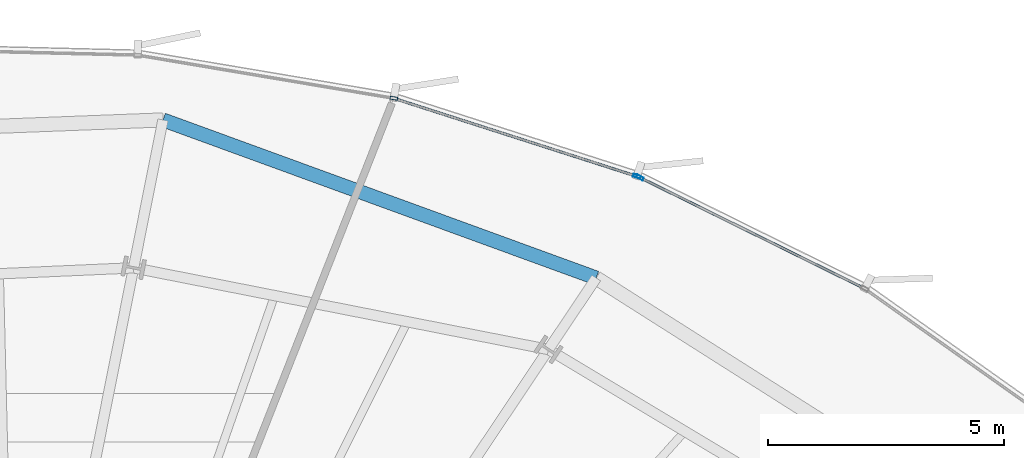
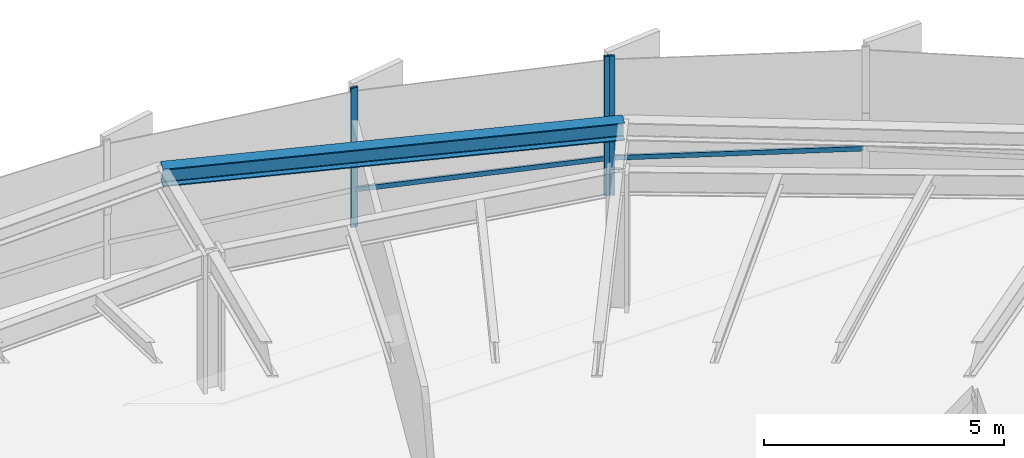
# One storey, part 27 of 39: 5 members, 1 beam, 2 elements without a shape of their own.
"""IFC4 building model written with IfcOpenShell, lengths in metres."""

from ifc_helpers import new_model, si_unit, direction, frame, origin, origin_2d, place, context, subcontext, project, spatial, hollow_rectangle, i_section, extrude, source, transform, mapped, material, layer, layer_set, material_profile, profile_set, type_object, element, aggregate, save


model = new_model("IFC4")

# Units and contexts
model_context = context("Model", 3, precision=1e-05, world=origin(), true_north=direction((0.0, 1.0)))
body_context = subcontext(model_context, "Body", "Model", "MODEL_VIEW")
ifc_project = project(units=[si_unit("LENGTHUNIT", "METRE"), si_unit("AREAUNIT", "SQUARE_METRE"), si_unit("VOLUMEUNIT", "CUBIC_METRE"), si_unit("PLANEANGLEUNIT", "RADIAN"), si_unit("MASSUNIT", "GRAM", prefix="KILO"), si_unit("THERMODYNAMICTEMPERATUREUNIT", "KELVIN")], contexts=[model_context])

# Site, building, storey
site_placement = place(None, origin())
site = spatial("IfcSite", under=ifc_project, at=site_placement, CompositionType="ELEMENT")
building_placement = place(site_placement, origin())
building = spatial("IfcBuilding", under=site, at=building_placement, Name="Kethvar Cultural Tower", CompositionType="ELEMENT")
storey_placement = place(building_placement, frame((0.0, 0.0, 41.0)))
storey = spatial("IfcBuildingStorey", under=building, at=storey_placement, Name="L09", CompositionType="ELEMENT", Elevation=41.0)

# Beam
ifc_material_1 = material(Name="Steel S355J2", Category="steel")
ifc_material_profile_1 = material_profile(ifc_material_1, i_section(OverallWidth=0.300048828125, OverallDepth=0.449951171875, WebThickness=0.013916015625, FlangeThickness=0.02587890625, FilletRadius=0.027099609375, at=origin_2d()), Name="Steel S355J2 — HEB450")
ifc_profile_set_1 = profile_set([ifc_material_profile_1], Name="Steel S355J2 — HEB450")
beam_type = type_object("IfcBeamType", Name="BM-SP450", PredefinedType="SPANDREL", material=ifc_profile_set_1)
shared_shape_1 = source(origin(), body_context, "Body", "SweptSolid", [
    extrude(i_section(OverallWidth=0.300048828125, OverallDepth=0.449951171875, WebThickness=0.013916015625, FlangeThickness=0.02587890625, FilletRadius=0.027099609375, at=origin_2d()), origin(), (0.0, 0.0, 1.0), 9.784912109375),
])
beam_placement = place(storey_placement, frame((60.838623046875, 48.810302734375, 3.322998046875), z_axis=(-0.939418416899, 0.342772574735, 0.0), x_axis=(-0.342772574735, -0.939418416899, 0.0)))
element("IfcBeam", 1, at=beam_placement, inside=storey, type_object=beam_type, Name="L09 Perimeter Spandrel Beam SP-03", PredefinedType="SPANDREL", context=body_context, shape_type="MappedRepresentation", body=[
    mapped(shared_shape_1, transform((0.0, 0.0, 0.0), scale=1.0)),
])

# Curtain wall, member
ifc_material_2 = material(Name="Aluminium 6063-T6", Category="aluminium")
ifc_layer = layer(ifc_material_2, 0.179931640625, Name="Aluminium 6063-T6", Category="aluminium")
ifc_layer_set = layer_set([ifc_layer], Name="Aluminium 6063-T6 (180 mm)")
curtain_wall_type = type_object("IfcCurtainWallType", Name="CW-SYS-02-Z1", PredefinedType="NOTDEFINED", material=ifc_layer_set)
curtain_wall_1_placement = place(storey_placement, origin())
curtain_wall_1 = element("IfcCurtainWall", 2, at=curtain_wall_1_placement, inside=storey, type_object=curtain_wall_type, Name="L09 Curtain Wall Run 01", PredefinedType="NOTDEFINED")
ifc_material_profile_2 = material_profile(ifc_material_2, hollow_rectangle(XDim=0.06494140625, YDim=0.159912109375, WallThickness=0.0048828125, at=origin_2d()), Name="Aluminium 6063-T6 — RHS160x65x5")
ifc_profile_set_2 = profile_set([ifc_material_profile_2], Name="Aluminium 6063-T6 — RHS160x65x5")
member_type_1 = type_object("IfcMemberType", Name="CW-SYS-02-Z1-MUL", PredefinedType="MULLION", material=ifc_profile_set_2)
shared_shape_2 = source(origin(), body_context, "Body", "SweptSolid", [
    extrude(hollow_rectangle(XDim=0.06494140625, YDim=0.159912109375, WallThickness=0.0048828125, at=origin_2d()), origin(), (0.0, 0.0, 1.0), 3.550048828125),
])
member_1_placement = place(storey_placement, frame((61.76318359375, 50.9423828125, 0.0), z_axis=(0.0, 0.0, 1.0), x_axis=(-0.442977308555, -0.896532823774, 0.0)))
member_1 = element("IfcMember", 3, at=member_1_placement, type_object=member_type_1, Name="CW-L09-R01 Mullion 7", PredefinedType="MULLION", context=body_context, shape_type="MappedRepresentation", body=[
    mapped(shared_shape_2, transform((0.0, 0.0, 0.0), scale=1.0)),
])

# Curtain wall, members
curtain_wall_2_placement = place(storey_placement, origin())
curtain_wall_2 = element("IfcCurtainWall", 4, at=curtain_wall_2_placement, inside=storey, type_object=curtain_wall_type, Name="L09 Curtain Wall Run 02", PredefinedType="NOTDEFINED")
member_2_placement = place(storey_placement, frame((61.70166015625, 50.96728515625, 0.0), z_axis=(0.0, 0.0, 1.0), x_axis=(-0.30559559653, -0.952161399859, 0.0)))
member_2 = element("IfcMember", 5, at=member_2_placement, type_object=member_type_1, Name="CW-L09-R02 Mullion 1", PredefinedType="MULLION", context=body_context, shape_type="MappedRepresentation", body=[
    mapped(shared_shape_2, transform((0.0, 0.0, 0.0), scale=1.0)),
])
member_3_placement = place(storey_placement, frame((56.545166015625, 52.62353515625, 0.0), z_axis=(0.0, 0.0, 1.0), x_axis=(-0.166063140111, -0.986115121827, 0.0)))
member_3 = element("IfcMember", 6, at=member_3_placement, type_object=member_type_1, Name="CW-L09-R02 Mullion 2", PredefinedType="MULLION", context=body_context, shape_type="MappedRepresentation", body=[
    mapped(shared_shape_2, transform((0.0, 0.0, 0.0), scale=1.0)),
])

# Member
ifc_material_profile_3 = material_profile(ifc_material_2, hollow_rectangle(XDim=0.054931640625, YDim=0.1201171875, WallThickness=0.00390625, at=origin_2d()), Name="Aluminium 6063-T6 — RHS120x55x4")
ifc_profile_set_3 = profile_set([ifc_material_profile_3], Name="Aluminium 6063-T6 — RHS120x55x4")
member_type_2 = type_object("IfcMemberType", Name="CW-SYS-02-Z1-TRN", PredefinedType="USERDEFINED", material=ifc_profile_set_3)
shared_shape_3 = source(origin(), body_context, "Body", "SweptSolid", [
    extrude(hollow_rectangle(XDim=0.054931640625, YDim=0.1201171875, WallThickness=0.00390625, at=origin_2d()), origin(), (0.0, 0.0, 1.0), 5.274169921875),
])
member_4_placement = place(storey_placement, frame((66.495849609375, 48.60400390625, 0.949951171875), z_axis=(-0.896546396355, 0.442949838224, 0.0), x_axis=(-0.442949838224, -0.896546396355, 0.0)))
member_4 = element("IfcMember", 7, at=member_4_placement, type_object=member_type_2, Name="CW-L09-R01 Transom 6", ObjectType="TRANSOM", PredefinedType="USERDEFINED", context=body_context, shape_type="MappedRepresentation", body=[
    mapped(shared_shape_3, transform((0.0, 0.0, 0.0), scale=1.0)),
])

aggregate(curtain_wall_1, [member_1, member_4])

shared_shape_4 = source(origin(), body_context, "Body", "SweptSolid", [
    extrude(hollow_rectangle(XDim=0.054931640625, YDim=0.1201171875, WallThickness=0.00390625, at=origin_2d()), origin(), (0.0, 0.0, 1.0), 5.382080078125),
])
member_5_placement = place(storey_placement, frame((61.697509765625, 50.968505859375, 0.949951171875), z_axis=(-0.95215779858, 0.30560681701, 0.0), x_axis=(-0.30560681701, -0.95215779858, 0.0)))
member_5 = element("IfcMember", 8, at=member_5_placement, type_object=member_type_2, Name="CW-L09-R02 Transom 1", ObjectType="TRANSOM", PredefinedType="USERDEFINED", context=body_context, shape_type="MappedRepresentation", body=[
    mapped(shared_shape_4, transform((0.0, 0.0, 0.0), scale=1.0)),
])

aggregate(curtain_wall_2, [member_2, member_3, member_5])

save(model, "model.ifc")
